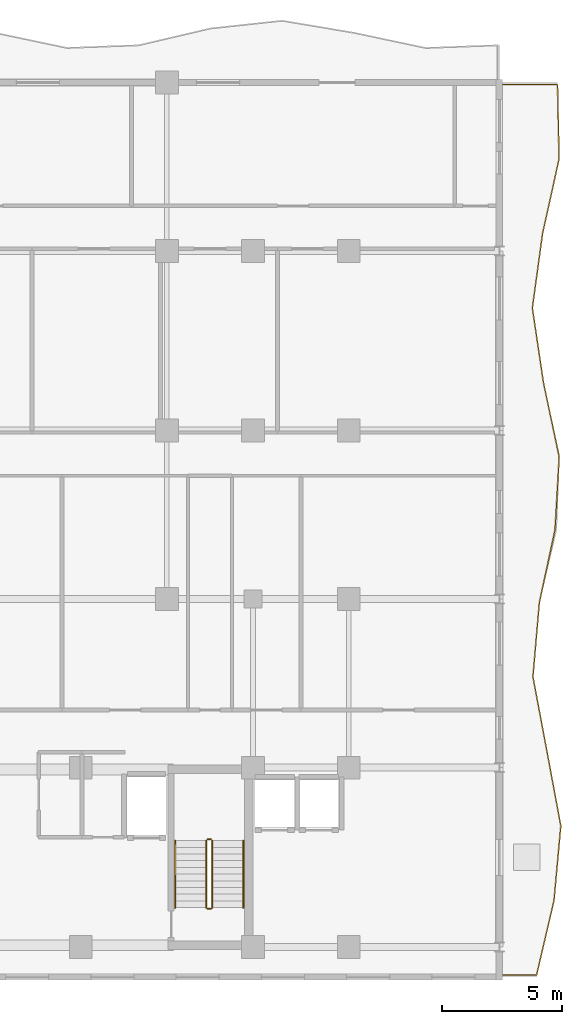
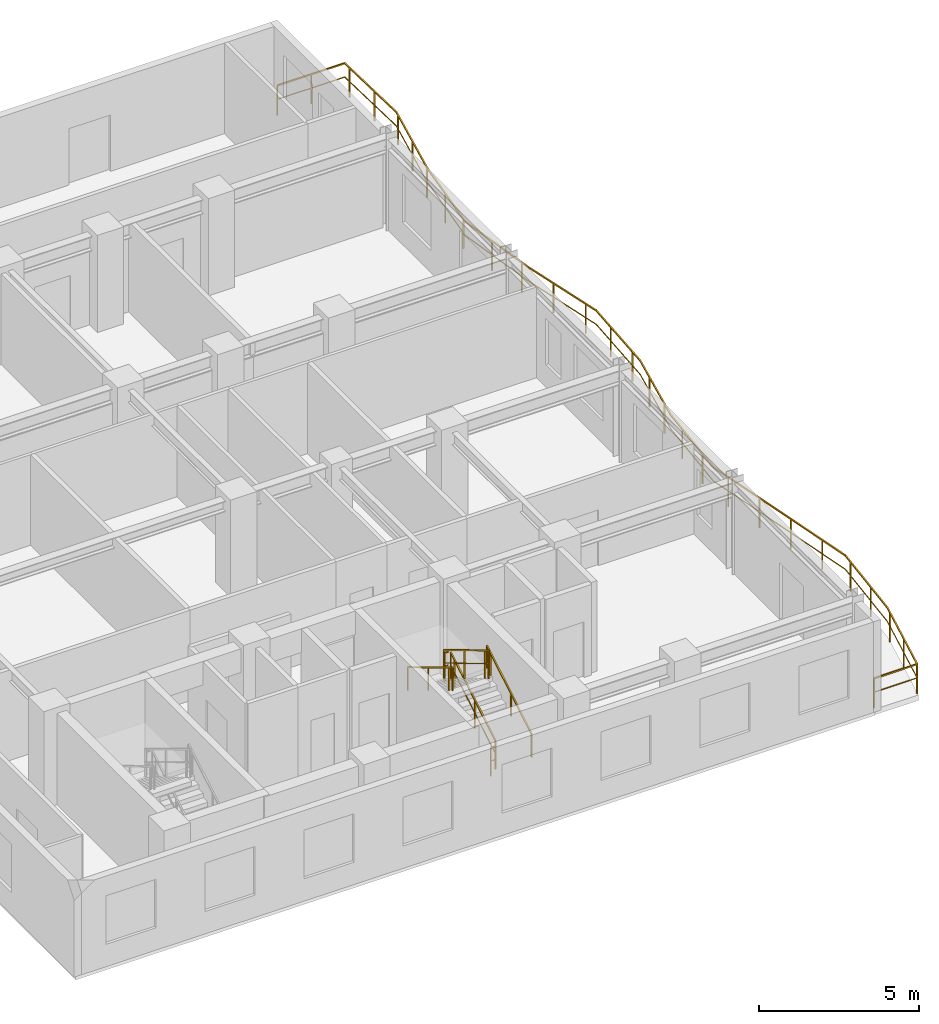
# One storey, part 12 of 13: 7 railings.
"""IFC4 building model written with IfcOpenShell, lengths in metres."""

from ifc_helpers import new_model, si_unit, direction, frame, origin, origin_2d, place, context, subcontext, project, spatial, rectangle, extrude, material, type_object, element, save


model = new_model("IFC4")

# Units and contexts
model_context = context("Model", 3, precision=1e-05, world=origin(), true_north=direction((0.0, 1.0)))
body_context = subcontext(model_context, "Body", "Model", "MODEL_VIEW")
ifc_project = project(units=[si_unit("LENGTHUNIT", "METRE"), si_unit("AREAUNIT", "SQUARE_METRE"), si_unit("VOLUMEUNIT", "CUBIC_METRE"), si_unit("PLANEANGLEUNIT", "RADIAN"), si_unit("MASSUNIT", "GRAM", prefix="KILO")], contexts=[model_context])

# Site, building, storey
site_placement = place(None, origin())
site = spatial("IfcSite", under=ifc_project, at=site_placement, CompositionType="ELEMENT")
building_placement = place(site_placement, origin())
building = spatial("IfcBuilding", under=site, at=building_placement, Name="Kaliganga Portal Commons", CompositionType="ELEMENT")
storey_placement = place(building_placement, frame((0.0, 0.0, 212.89990234375)))
storey = spatial("IfcBuildingStorey", under=building, at=storey_placement, Name="L54", CompositionType="ELEMENT", Elevation=212.89990234375)

# Railings
ifc_material_1 = material(Name="Laminated Safety Glass and Stainless Steel 316", Category="steel")
railing_type_1 = type_object("IfcRailingType", Name="RLG-BAL-1150", PredefinedType="BALUSTRADE", material=ifc_material_1)
railing_1_placement = place(storey_placement, frame((60.70751953125, 5.879638671875, 0.0)))
element("IfcRailing", 1, at=railing_1_placement, inside=storey, type_object=railing_type_1, Name="Balcony Guardrail L54 balc_east", PredefinedType="BALUSTRADE", context=body_context, shape_type="SweptSolid", body=[
    extrude(rectangle(XDim=0.048095703125, YDim=0.048095703125, at=origin_2d()), frame((0.0, 0.0, 1.1259765625), z_axis=(0.999999987654, 0.000157133876, 0.0), x_axis=(-0.000157133876, 0.999999987654, 0.0)), (0.0, 0.0, 1.0), 1.5537109375),
    extrude(rectangle(XDim=0.028076171875, YDim=0.028076171875, at=origin_2d()), frame((0.0, 0.0, 0.597900390625), z_axis=(0.999999987654, 0.000157133876, 0.0), x_axis=(-0.000157133876, 0.999999987654, 0.0)), (0.0, 0.0, 1.0), 1.5537109375),
    extrude(rectangle(XDim=0.048095703125, YDim=0.048095703125, at=origin_2d()), frame((1.5537109375, 0.000244140625, 1.1259765625), z_axis=(0.227972161022, 0.973667650587, 0.0), x_axis=(-0.973667650587, 0.227972161022, 0.0)), (0.0, 0.0, 1.0), 3.200927734375),
    extrude(rectangle(XDim=0.028076171875, YDim=0.028076171875, at=origin_2d()), frame((1.5537109375, 0.000244140625, 0.597900390625), z_axis=(0.227972161022, 0.973667650587, 0.0), x_axis=(-0.973667650587, 0.227972161022, 0.0)), (0.0, 0.0, 1.0), 3.200927734375),
    extrude(rectangle(XDim=0.048095703125, YDim=0.048095703125, at=origin_2d()), frame((2.283447265625, 3.116943359375, 1.1259765625), z_axis=(0.090810075903, 0.995868229293, 0.0), x_axis=(-0.995868229293, 0.090810075903, 0.0)), (0.0, 0.0, 1.0), 3.12939453125),
    extrude(rectangle(XDim=0.028076171875, YDim=0.028076171875, at=origin_2d()), frame((2.283447265625, 3.116943359375, 0.597900390625), z_axis=(0.090810075903, 0.995868229293, 0.0), x_axis=(-0.995868229293, 0.090810075903, 0.0)), (0.0, 0.0, 1.0), 3.12939453125),
    extrude(rectangle(XDim=0.048095703125, YDim=0.048095703125, at=origin_2d()), frame((2.567626953125, 6.2333984375, 1.1259765625), z_axis=(-0.182888876021, 0.983133591648, 0.0), x_axis=(-0.983133591648, -0.182888876021, 0.0)), (0.0, 0.0, 1.0), 3.17041015625),
    extrude(rectangle(XDim=0.028076171875, YDim=0.028076171875, at=origin_2d()), frame((2.567626953125, 6.2333984375, 0.597900390625), z_axis=(-0.182888876021, 0.983133591648, 0.0), x_axis=(-0.983133591648, -0.182888876021, 0.0)), (0.0, 0.0, 1.0), 3.17041015625),
    extrude(rectangle(XDim=0.048095703125, YDim=0.048095703125, at=origin_2d()), frame((1.98779296875, 9.350341796875, 1.1259765625), z_axis=(-0.184688263492, 0.982797153704, 0.0), x_axis=(-0.982797153704, -0.184688263492, 0.0)), (0.0, 0.0, 1.0), 3.171142578125),
    extrude(rectangle(XDim=0.028076171875, YDim=0.028076171875, at=origin_2d()), frame((1.98779296875, 9.350341796875, 0.597900390625), z_axis=(-0.184688263492, 0.982797153704, 0.0), x_axis=(-0.982797153704, -0.184688263492, 0.0)), (0.0, 0.0, 1.0), 3.171142578125),
    extrude(rectangle(XDim=0.048095703125, YDim=0.048095703125, at=origin_2d()), frame((1.402099609375, 12.467041015625, 1.1259765625), z_axis=(0.08623559638, 0.996274772298, 0.0), x_axis=(-0.996274772298, 0.08623559638, 0.0)), (0.0, 0.0, 1.0), 3.12841796875),
    extrude(rectangle(XDim=0.028076171875, YDim=0.028076171875, at=origin_2d()), frame((1.402099609375, 12.467041015625, 0.597900390625), z_axis=(0.08623559638, 0.996274772298, 0.0), x_axis=(-0.996274772298, 0.08623559638, 0.0)), (0.0, 0.0, 1.0), 3.12841796875),
    extrude(rectangle(XDim=0.048095703125, YDim=0.048095703125, at=origin_2d()), frame((1.671875, 15.583740234375, 1.1259765625), z_axis=(0.210259065913, 0.977645705356, 0.0), x_axis=(-0.977645705356, 0.210259065913, 0.0)), (0.0, 0.0, 1.0), 3.10595703125),
    extrude(rectangle(XDim=0.028076171875, YDim=0.028076171875, at=origin_2d()), frame((1.671875, 15.583740234375, 0.597900390625), z_axis=(0.210259065913, 0.977645705356, 0.0), x_axis=(-0.977645705356, 0.210259065913, 0.0)), (0.0, 0.0, 1.0), 3.10595703125),
    extrude(rectangle(XDim=0.048095703125, YDim=0.048095703125, at=origin_2d()), frame((2.324951171875, 18.620361328125, 1.1259765625), z_axis=(0.057264488798, 0.998359042791, 0.0), x_axis=(-0.998359042791, 0.057264488798, 0.0)), (0.0, 0.0, 1.0), 3.0439453125),
    extrude(rectangle(XDim=0.028076171875, YDim=0.028076171875, at=origin_2d()), frame((2.324951171875, 18.620361328125, 0.597900390625), z_axis=(0.057264488798, 0.998359042791, 0.0), x_axis=(-0.998359042791, 0.057264488798, 0.0)), (0.0, 0.0, 1.0), 3.0439453125),
    extrude(rectangle(XDim=0.048095703125, YDim=0.048095703125, at=origin_2d()), frame((2.499267578125, 21.659423828125, 1.1259765625), z_axis=(-0.206710099193, 0.978402235735, 0.0), x_axis=(-0.978402235735, -0.206710099193, 0.0)), (0.0, 0.0, 1.0), 3.18310546875),
    extrude(rectangle(XDim=0.028076171875, YDim=0.028076171875, at=origin_2d()), frame((2.499267578125, 21.659423828125, 0.597900390625), z_axis=(-0.206710099193, 0.978402235735, 0.0), x_axis=(-0.978402235735, -0.206710099193, 0.0)), (0.0, 0.0, 1.0), 3.18310546875),
    extrude(rectangle(XDim=0.048095703125, YDim=0.048095703125, at=origin_2d()), frame((1.84130859375, 24.773681640625, 1.1259765625), z_axis=(-0.146983899754, 0.989138884694, 0.0), x_axis=(-0.989138884694, -0.146983899754, 0.0)), (0.0, 0.0, 1.0), 3.15087890625),
    extrude(rectangle(XDim=0.028076171875, YDim=0.028076171875, at=origin_2d()), frame((1.84130859375, 24.773681640625, 0.597900390625), z_axis=(-0.146983899754, 0.989138884694, 0.0), x_axis=(-0.989138884694, -0.146983899754, 0.0)), (0.0, 0.0, 1.0), 3.15087890625),
    extrude(rectangle(XDim=0.048095703125, YDim=0.048095703125, at=origin_2d()), frame((1.378173828125, 27.890380859375, 1.1259765625), z_axis=(0.135736561489, 0.990744965102, 0.0), x_axis=(-0.990744965102, 0.135736561489, 0.0)), (0.0, 0.0, 1.0), 3.145751953125),
    extrude(rectangle(XDim=0.028076171875, YDim=0.028076171875, at=origin_2d()), frame((1.378173828125, 27.890380859375, 0.597900390625), z_axis=(0.135736561489, 0.990744965102, 0.0), x_axis=(-0.990744965102, 0.135736561489, 0.0)), (0.0, 0.0, 1.0), 3.145751953125),
    extrude(rectangle(XDim=0.048095703125, YDim=0.048095703125, at=origin_2d()), frame((1.80517578125, 31.007080078125, 1.1259765625), z_axis=(0.216063867395, 0.976379232269, 0.0), x_axis=(-0.976379232269, 0.216063867395, 0.0)), (0.0, 0.0, 1.0), 3.192138671875),
    extrude(rectangle(XDim=0.028076171875, YDim=0.028076171875, at=origin_2d()), frame((1.80517578125, 31.007080078125, 0.597900390625), z_axis=(0.216063867395, 0.976379232269, 0.0), x_axis=(-0.976379232269, 0.216063867395, 0.0)), (0.0, 0.0, 1.0), 3.192138671875),
    extrude(rectangle(XDim=0.048095703125, YDim=0.048095703125, at=origin_2d()), frame((2.494873046875, 34.123779296875, 1.1259765625), z_axis=(-0.021145200699, 0.999776415249, 0.0), x_axis=(-0.999776415249, -0.021145200699, 0.0)), (0.0, 0.0, 1.0), 3.117431640625),
    extrude(rectangle(XDim=0.028076171875, YDim=0.028076171875, at=origin_2d()), frame((2.494873046875, 34.123779296875, 0.597900390625), z_axis=(-0.021145200699, 0.999776415249, 0.0), x_axis=(-0.999776415249, -0.021145200699, 0.0)), (0.0, 0.0, 1.0), 3.117431640625),
    extrude(rectangle(XDim=0.048095703125, YDim=0.048095703125, at=origin_2d()), frame((2.428955078125, 37.240478515625, 1.1259765625), z_axis=(-0.999999994949, 0.000100512614, 0.0), x_axis=(-0.000100512614, -0.999999994949, 0.0)), (0.0, 0.0, 1.0), 2.428955078125),
    extrude(rectangle(XDim=0.028076171875, YDim=0.028076171875, at=origin_2d()), frame((2.428955078125, 37.240478515625, 0.597900390625), z_axis=(-0.999999994949, 0.000100512614, 0.0), x_axis=(-0.000100512614, -0.999999994949, 0.0)), (0.0, 0.0, 1.0), 2.428955078125),
    extrude(rectangle(XDim=0.0419921875, YDim=0.0419921875, at=origin_2d()), origin(), (0.0, 0.0, 1.0), 1.101806640625),
    extrude(rectangle(XDim=0.0419921875, YDim=0.0419921875, at=origin_2d()), frame((1.5537109375, 0.000244140625, 0.0)), (0.0, 0.0, 1.0), 1.101806640625),
    extrude(rectangle(XDim=0.0419921875, YDim=0.0419921875, at=origin_2d()), frame((1.883544921875, 1.408447265625, 0.0)), (0.0, 0.0, 1.0), 1.101806640625),
    extrude(rectangle(XDim=0.0419921875, YDim=0.0419921875, at=origin_2d()), frame((2.225341796875, 2.868896484375, 0.0)), (0.0, 0.0, 1.0), 1.101806640625),
    extrude(rectangle(XDim=0.0419921875, YDim=0.0419921875, at=origin_2d()), frame((2.396484375, 4.357177734375, 0.0)), (0.0, 0.0, 1.0), 1.101806640625),
    extrude(rectangle(XDim=0.0419921875, YDim=0.0419921875, at=origin_2d()), frame((2.53271484375, 5.850830078125, 0.0)), (0.0, 0.0, 1.0), 1.101806640625),
    extrude(rectangle(XDim=0.0419921875, YDim=0.0419921875, at=origin_2d()), frame((2.363525390625, 7.33056640625, 0.0)), (0.0, 0.0, 1.0), 1.101806640625),
    extrude(rectangle(XDim=0.0419921875, YDim=0.0419921875, at=origin_2d()), frame((2.089111328125, 8.80517578125, 0.0)), (0.0, 0.0, 1.0), 1.101806640625),
    extrude(rectangle(XDim=0.0419921875, YDim=0.0419921875, at=origin_2d()), frame((1.813232421875, 10.279541015625, 0.0)), (0.0, 0.0, 1.0), 1.101806640625),
    extrude(rectangle(XDim=0.0419921875, YDim=0.0419921875, at=origin_2d()), frame((1.5361328125, 11.753662109375, 0.0)), (0.0, 0.0, 1.0), 1.101806640625),
    extrude(rectangle(XDim=0.0419921875, YDim=0.0419921875, at=origin_2d()), frame((1.46875, 13.23828125, 0.0)), (0.0, 0.0, 1.0), 1.101806640625),
    extrude(rectangle(XDim=0.0419921875, YDim=0.0419921875, at=origin_2d()), frame((1.59814453125, 14.73291015625, 0.0)), (0.0, 0.0, 1.0), 1.101806640625),
    extrude(rectangle(XDim=0.0419921875, YDim=0.0419921875, at=origin_2d()), frame((1.8076171875, 16.215087890625, 0.0)), (0.0, 0.0, 1.0), 1.101806640625),
    extrude(rectangle(XDim=0.0419921875, YDim=0.0419921875, at=origin_2d()), frame((2.123046875, 17.681640625, 0.0)), (0.0, 0.0, 1.0), 1.101806640625),
    extrude(rectangle(XDim=0.0419921875, YDim=0.0419921875, at=origin_2d()), frame((2.35595703125, 19.159423828125, 0.0)), (0.0, 0.0, 1.0), 1.101806640625),
    extrude(rectangle(XDim=0.0419921875, YDim=0.0419921875, at=origin_2d()), frame((2.441650390625, 20.65673828125, 0.0)), (0.0, 0.0, 1.0), 1.101806640625),
    extrude(rectangle(XDim=0.0419921875, YDim=0.0419921875, at=origin_2d()), frame((2.396728515625, 22.14453125, 0.0)), (0.0, 0.0, 1.0), 1.101806640625),
    extrude(rectangle(XDim=0.0419921875, YDim=0.0419921875, at=origin_2d()), frame((2.086669921875, 23.612060546875, 0.0)), (0.0, 0.0, 1.0), 1.101806640625),
    extrude(rectangle(XDim=0.0419921875, YDim=0.0419921875, at=origin_2d()), frame((1.79541015625, 25.0830078125, 0.0)), (0.0, 0.0, 1.0), 1.101806640625),
    extrude(rectangle(XDim=0.0419921875, YDim=0.0419921875, at=origin_2d()), frame((1.574951171875, 26.566650390625, 0.0)), (0.0, 0.0, 1.0), 1.101806640625),
    extrude(rectangle(XDim=0.0419921875, YDim=0.0419921875, at=origin_2d()), frame((1.400146484375, 28.05078125, 0.0)), (0.0, 0.0, 1.0), 1.101806640625),
    extrude(rectangle(XDim=0.0419921875, YDim=0.0419921875, at=origin_2d()), frame((1.603759765625, 29.536865234375, 0.0)), (0.0, 0.0, 1.0), 1.101806640625),
    extrude(rectangle(XDim=0.0419921875, YDim=0.0419921875, at=origin_2d()), frame((1.80859375, 31.022705078125, 0.0)), (0.0, 0.0, 1.0), 1.101806640625),
    extrude(rectangle(XDim=0.0419921875, YDim=0.0419921875, at=origin_2d()), frame((2.1328125, 32.4873046875, 0.0)), (0.0, 0.0, 1.0), 1.101806640625),
    extrude(rectangle(XDim=0.0419921875, YDim=0.0419921875, at=origin_2d()), frame((2.456787109375, 33.951904296875, 0.0)), (0.0, 0.0, 1.0), 1.101806640625),
    extrude(rectangle(XDim=0.0419921875, YDim=0.0419921875, at=origin_2d()), frame((2.466796875, 35.447509765625, 0.0)), (0.0, 0.0, 1.0), 1.101806640625),
    extrude(rectangle(XDim=0.0419921875, YDim=0.0419921875, at=origin_2d()), frame((2.43505859375, 36.947021484375, 0.0)), (0.0, 0.0, 1.0), 1.101806640625),
    extrude(rectangle(XDim=0.0419921875, YDim=0.0419921875, at=origin_2d()), frame((1.222412109375, 37.240478515625, 0.0)), (0.0, 0.0, 1.0), 1.101806640625),
    extrude(rectangle(XDim=0.0419921875, YDim=0.0419921875, at=origin_2d()), frame((0.0, 37.24072265625, 0.0)), (0.0, 0.0, 1.0), 1.101806640625),
])
ifc_material_2 = material(Name="Galvanized Painted Steel Balustrade", Category="steel")
railing_type_2 = type_object("IfcRailingType", Name="RLG-STAIR-GRD", PredefinedType="GUARDRAIL", material=ifc_material_2)
railing_2_placement = place(storey_placement, frame((48.699951171875, 8.699951171875, 0.168212890625)))
element("IfcRailing", 2, at=railing_2_placement, inside=storey, type_object=railing_type_2, Name="L54 ST-B2 stair guard 1", PredefinedType="GUARDRAIL", context=body_context, shape_type="SweptSolid", body=[
    extrude(rectangle(XDim=0.048095703125, YDim=0.048095703125, at=origin_2d()), frame((0.0, 0.0, 1.072021484375), z_axis=(0.0, 0.857242210791, 0.514913383045), x_axis=(-1.0, 0.0, 0.0)), (0.0, 0.0, 1.0), 3.266357421875),
    extrude(rectangle(XDim=0.028076171875, YDim=0.028076171875, at=origin_2d()), frame((0.0, 0.0, 0.572021484375), z_axis=(0.0, 0.857242210791, 0.514913383045), x_axis=(-1.0, 0.0, 0.0)), (0.0, 0.0, 1.0), 3.266357421875),
    extrude(rectangle(XDim=0.0419921875, YDim=0.0419921875, at=origin_2d()), origin(), (0.0, 0.0, 1.0), 1.052001953125),
    extrude(rectangle(XDim=0.0419921875, YDim=0.0419921875, at=origin_2d()), frame((0.0, 1.285888671875, 0.7724609375)), (0.0, 0.0, 1.0), 1.052001953125),
    extrude(rectangle(XDim=0.0419921875, YDim=0.0419921875, at=origin_2d()), frame((0.0, 2.57177734375, 1.544677734375)), (0.0, 0.0, 1.0), 1.052001953125),
    extrude(rectangle(XDim=0.0419921875, YDim=0.0419921875, at=origin_2d()), frame((0.0, 2.800048828125, 1.681884765625)), (0.0, 0.0, 1.0), 1.052001953125),
])
railing_3_placement = place(storey_placement, frame((48.64990234375, 11.550048828125, 1.85009765625)))
element("IfcRailing", 3, at=railing_3_placement, inside=storey, type_object=railing_type_2, Name="L54 ST-B2 stair guard 2", PredefinedType="GUARDRAIL", context=body_context, shape_type="SweptSolid", body=[
    extrude(rectangle(XDim=0.048095703125, YDim=0.048095703125, at=origin_2d()), frame((0.0, 0.0, 1.076171875), z_axis=(-1.0, 0.0, 0.0), x_axis=(0.0, -1.0, 0.0)), (0.0, 0.0, 1.0), 0.14990234375),
    extrude(rectangle(XDim=0.028076171875, YDim=0.028076171875, at=origin_2d()), frame((0.0, 0.0, 0.572021484375), z_axis=(-1.0, 0.0, 0.0), x_axis=(0.0, -1.0, 0.0)), (0.0, 0.0, 1.0), 0.14990234375),
    extrude(rectangle(XDim=0.0419921875, YDim=0.0419921875, at=origin_2d()), frame((-0.14990234375, 0.0, 0.0)), (0.0, 0.0, 1.0), 1.052001953125),
])
railing_4_placement = place(storey_placement, frame((48.449951171875, 11.5, 2.018310546875)))
element("IfcRailing", 4, at=railing_4_placement, inside=storey, type_object=railing_type_2, Name="L54 ST-B2 stair guard 3", PredefinedType="GUARDRAIL", context=body_context, shape_type="SweptSolid", body=[
    extrude(rectangle(XDim=0.048095703125, YDim=0.048095703125, at=origin_2d()), frame((0.0, 0.0, 1.072021484375), z_axis=(0.0, -0.857242210791, 0.514913383045), x_axis=(1.0, 0.0, 0.0)), (0.0, 0.0, 1.0), 3.266357421875),
    extrude(rectangle(XDim=0.028076171875, YDim=0.028076171875, at=origin_2d()), frame((0.0, 0.0, 0.572021484375), z_axis=(0.0, -0.857242210791, 0.514913383045), x_axis=(1.0, 0.0, 0.0)), (0.0, 0.0, 1.0), 3.266357421875),
    extrude(rectangle(XDim=0.0419921875, YDim=0.0419921875, at=origin_2d()), origin(), (0.0, 0.0, 1.0), 1.052001953125),
    extrude(rectangle(XDim=0.0419921875, YDim=0.0419921875, at=origin_2d()), frame((0.0, -1.285888671875, 0.7724609375)), (0.0, 0.0, 1.0), 1.052001953125),
    extrude(rectangle(XDim=0.0419921875, YDim=0.0419921875, at=origin_2d()), frame((0.0, -2.57177734375, 1.544677734375)), (0.0, 0.0, 1.0), 1.052001953125),
    extrude(rectangle(XDim=0.0419921875, YDim=0.0419921875, at=origin_2d()), frame((0.0, -2.800048828125, 1.681884765625)), (0.0, 0.0, 1.0), 1.052001953125),
])
railing_5_placement = place(storey_placement, frame((48.64990234375, 8.64990234375, 0.0)))
element("IfcRailing", 5, at=railing_5_placement, inside=storey, type_object=railing_type_2, Name="L54 ST-B2 stair guard 4", PredefinedType="GUARDRAIL", context=body_context, shape_type="SweptSolid", body=[
    extrude(rectangle(XDim=0.048095703125, YDim=0.048095703125, at=origin_2d()), frame((0.0, 0.0, 1.076171875), z_axis=(-1.0, 0.0, 0.0), x_axis=(0.0, -1.0, 0.0)), (0.0, 0.0, 1.0), 0.14990234375),
    extrude(rectangle(XDim=0.028076171875, YDim=0.028076171875, at=origin_2d()), frame((0.0, 0.0, 0.572021484375), z_axis=(-1.0, 0.0, 0.0), x_axis=(0.0, -1.0, 0.0)), (0.0, 0.0, 1.0), 0.14990234375),
    extrude(rectangle(XDim=0.0419921875, YDim=0.0419921875, at=origin_2d()), frame((-0.14990234375, 0.0, 0.0)), (0.0, 0.0, 1.0), 1.052001953125),
])
ifc_material_3 = material(Name="Brushed Stainless Steel 316", Category="steel")
railing_type_3 = type_object("IfcRailingType", Name="RLG-STAIR-HR", PredefinedType="HANDRAIL", material=ifc_material_3)
railing_6_placement = place(storey_placement, frame((50.0, 8.699951171875, 0.168212890625)))
element("IfcRailing", 6, at=railing_6_placement, inside=storey, type_object=railing_type_3, Name="L54 ST-B2 stair handrail 1", PredefinedType="HANDRAIL", context=body_context, shape_type="SweptSolid", body=[
    extrude(rectangle(XDim=0.048095703125, YDim=0.048095703125, at=origin_2d()), frame((0.0, 0.0, 0.871826171875), z_axis=(0.0, 0.857242210791, 0.514913383045), x_axis=(-1.0, 0.0, 0.0)), (0.0, 0.0, 1.0), 3.266357421875),
    extrude(rectangle(XDim=0.0419921875, YDim=0.0419921875, at=origin_2d()), origin(), (0.0, 0.0, 1.0), 0.851806640625),
    extrude(rectangle(XDim=0.0419921875, YDim=0.0419921875, at=origin_2d()), frame((0.0, 1.285888671875, 0.7724609375)), (0.0, 0.0, 1.0), 0.851806640625),
    extrude(rectangle(XDim=0.0419921875, YDim=0.0419921875, at=origin_2d()), frame((0.0, 2.57177734375, 1.544677734375)), (0.0, 0.0, 1.0), 0.851806640625),
    extrude(rectangle(XDim=0.0419921875, YDim=0.0419921875, at=origin_2d()), frame((0.0, 2.800048828125, 1.681884765625)), (0.0, 0.0, 1.0), 0.851806640625),
])
railing_7_placement = place(storey_placement, frame((47.14990234375, 11.5, 2.018310546875)))
element("IfcRailing", 7, at=railing_7_placement, inside=storey, type_object=railing_type_3, Name="L54 ST-B2 stair handrail 2", PredefinedType="HANDRAIL", context=body_context, shape_type="SweptSolid", body=[
    extrude(rectangle(XDim=0.048095703125, YDim=0.048095703125, at=origin_2d()), frame((0.0, 0.0, 0.871826171875), z_axis=(0.0, -0.857242210791, 0.514913383045), x_axis=(1.0, 0.0, 0.0)), (0.0, 0.0, 1.0), 3.266357421875),
    extrude(rectangle(XDim=0.0419921875, YDim=0.0419921875, at=origin_2d()), origin(), (0.0, 0.0, 1.0), 0.851806640625),
    extrude(rectangle(XDim=0.0419921875, YDim=0.0419921875, at=origin_2d()), frame((0.0, -1.285888671875, 0.7724609375)), (0.0, 0.0, 1.0), 0.851806640625),
    extrude(rectangle(XDim=0.0419921875, YDim=0.0419921875, at=origin_2d()), frame((0.0, -2.57177734375, 1.544677734375)), (0.0, 0.0, 1.0), 0.851806640625),
    extrude(rectangle(XDim=0.0419921875, YDim=0.0419921875, at=origin_2d()), frame((0.0, -2.800048828125, 1.681884765625)), (0.0, 0.0, 1.0), 0.851806640625),
])

save(model, "model.ifc")
